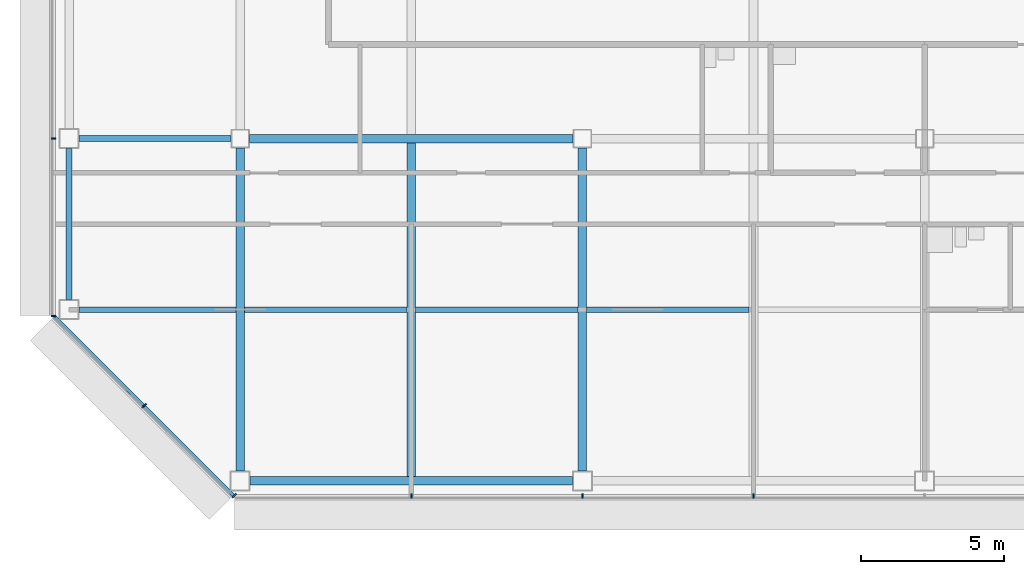
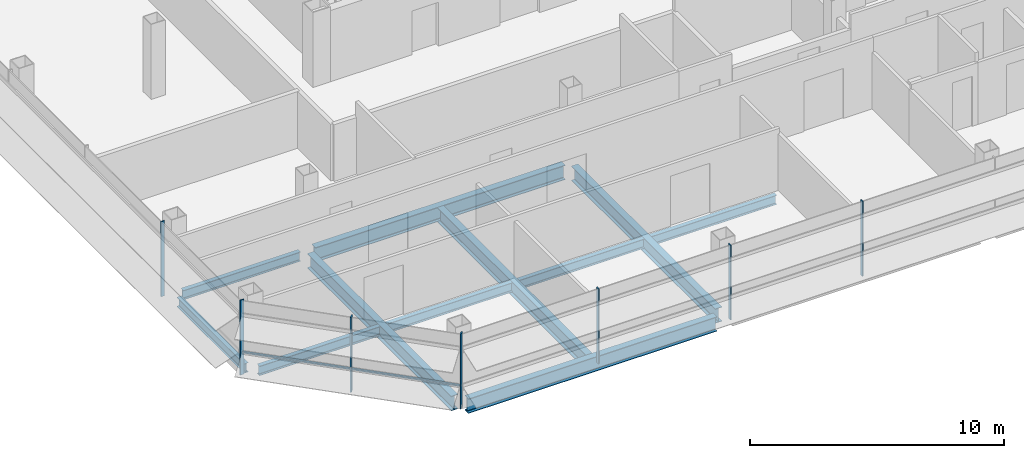
# One storey, part 2 of 24: 11 beams, 8 members, 3 elements without a shape of their own.
"""IFC4 building model written with IfcOpenShell, lengths in metres."""

from ifc_helpers import new_model, si_unit, direction, frame, origin, origin_2d, place, context, subcontext, project, spatial, rectangle, i_section, extrude, material, material_profile, profile_set, type_object, element, aggregate, save


model = new_model("IFC4")

# Units and contexts
model_context = context("Model", 3, precision=1e-05, world=origin(), true_north=direction((0.0, 1.0)))
body_context = subcontext(model_context, "Body", "Model", "MODEL_VIEW")
ifc_project = project(units=[si_unit("LENGTHUNIT", "METRE"), si_unit("AREAUNIT", "SQUARE_METRE"), si_unit("VOLUMEUNIT", "CUBIC_METRE"), si_unit("PLANEANGLEUNIT", "RADIAN"), si_unit("MASSUNIT", "GRAM", prefix="KILO")], contexts=[model_context])

# Site, building, storey
site_placement = place(None, origin())
site = spatial("IfcSite", under=ifc_project, at=site_placement, CompositionType="ELEMENT")
building_placement = place(site_placement, origin())
building = spatial("IfcBuilding", under=site, at=building_placement, Name="Sorahane Residences", CompositionType="ELEMENT")
storey_placement = place(building_placement, frame((0.0, 0.0, 178.0)))
storey = spatial("IfcBuildingStorey", under=building, at=storey_placement, Name="L41", CompositionType="ELEMENT", Elevation=178.0)

# Curtain wall, members
ifc_material_1 = material(Name="Dark low-e glass and black anodised aluminium", Category="aluminium")
curtain_wall_type_1 = type_object("IfcCurtainWallType", Name="Curtain wall CW-1 Typical unitised wall", PredefinedType="NOTDEFINED", material=ifc_material_1)
curtain_wall_1_placement = place(storey_placement, origin())
curtain_wall_1 = element("IfcCurtainWall", 1, at=curtain_wall_1_placement, inside=storey, type_object=curtain_wall_type_1, Name="CW-1 curtain wall L41 S1", PredefinedType="NOTDEFINED")
ifc_material_2 = material(Name="Black anodised aluminium", Category="aluminium")
ifc_material_profile_1 = material_profile(ifc_material_2, rectangle(XDim=0.159912109375, YDim=0.050048828125, at=origin_2d()), Name="Curtain wall mullion CW-1 black anodised aluminium 50x160")
ifc_profile_set_1 = profile_set([ifc_material_profile_1], Name="Black anodised aluminium")
member_type_1 = type_object("IfcMemberType", Name="Curtain wall mullion CW-1 black anodised aluminium 50x160", PredefinedType="MULLION", material=ifc_profile_set_1)
member_1_placement = place(storey_placement, frame((6.0, -0.5400390625, -0.179931640625), z_axis=(0.0, 0.0, 1.0), x_axis=(0.0, -1.0, 0.0)))
member_1 = element("IfcMember", 2, at=member_1_placement, type_object=member_type_1, Name="CW-1 mullion L41 S1.2", PredefinedType="MULLION", context=body_context, shape_type="SweptSolid", body=[
    extrude(rectangle(XDim=0.159912109375, YDim=0.050048828125, at=origin_2d()), origin(), (0.0, 0.0, 1.0), 3.599853515625),
])
member_2_placement = place(storey_placement, frame((12.0, -0.5400390625, -0.179931640625), z_axis=(0.0, 0.0, 1.0), x_axis=(0.0, -1.0, 0.0)))
member_2 = element("IfcMember", 3, at=member_2_placement, type_object=member_type_1, Name="CW-1 mullion L41 S1.3", PredefinedType="MULLION", context=body_context, shape_type="SweptSolid", body=[
    extrude(rectangle(XDim=0.159912109375, YDim=0.050048828125, at=origin_2d()), origin(), (0.0, 0.0, 1.0), 3.599853515625),
])
member_3_placement = place(storey_placement, frame((18.0, -0.5400390625, -0.179931640625), z_axis=(0.0, 0.0, 1.0), x_axis=(0.0, -1.0, 0.0)))
member_3 = element("IfcMember", 4, at=member_3_placement, type_object=member_type_1, Name="CW-1 mullion L41 S1.4", PredefinedType="MULLION", context=body_context, shape_type="SweptSolid", body=[
    extrude(rectangle(XDim=0.159912109375, YDim=0.050048828125, at=origin_2d()), origin(), (0.0, 0.0, 1.0), 3.599853515625),
])
aggregate(curtain_wall_1, [member_1, member_2, member_3])

curtain_wall_2_placement = place(storey_placement, origin())
curtain_wall_2 = element("IfcCurtainWall", 5, at=curtain_wall_2_placement, inside=storey, type_object=curtain_wall_type_1, Name="CW-1 curtain wall L41 W1", PredefinedType="NOTDEFINED")
member_4_placement = place(storey_placement, frame((-6.5400390625, 12.0, -0.179931640625), z_axis=(0.0, 0.0, 1.0), x_axis=(-1.0, 0.0, 0.0)))
member_4 = element("IfcMember", 6, at=member_4_placement, type_object=member_type_1, Name="CW-1 mullion L41 W1.6", PredefinedType="MULLION", context=body_context, shape_type="SweptSolid", body=[
    extrude(rectangle(XDim=0.159912109375, YDim=0.050048828125, at=origin_2d()), origin(), (0.0, 0.0, 1.0), 3.599853515625),
])
member_5_placement = place(storey_placement, frame((-6.5400390625, 5.7763671875, -0.179931640625), z_axis=(0.0, 0.0, 1.0), x_axis=(-1.0, 0.0, 0.0)))
member_5 = element("IfcMember", 7, at=member_5_placement, type_object=member_type_1, Name="CW-1 mullion L41 W1.7", PredefinedType="MULLION", context=body_context, shape_type="SweptSolid", body=[
    extrude(rectangle(XDim=0.159912109375, YDim=0.050048828125, at=origin_2d()), origin(), (0.0, 0.0, 1.0), 3.599853515625),
])
aggregate(curtain_wall_2, [member_4, member_5])

ifc_material_3 = material(Name="Dark low-e glass and black anodised aluminium", Category="aluminium")
curtain_wall_type_2 = type_object("IfcCurtainWallType", Name="Curtain wall CW-2 Chamfer unitised wall", PredefinedType="NOTDEFINED", material=ifc_material_3)
curtain_wall_3_placement = place(storey_placement, origin())
curtain_wall_3 = element("IfcCurtainWall", 8, at=curtain_wall_3_placement, inside=storey, type_object=curtain_wall_type_2, Name="CW-2 curtain wall L41 SW1", PredefinedType="NOTDEFINED")
ifc_material_4 = material(Name="Black anodised aluminium", Category="aluminium")
ifc_material_profile_2 = material_profile(ifc_material_4, rectangle(XDim=0.199951171875, YDim=0.050048828125, at=origin_2d()), Name="Curtain wall mullion CW-2 black anodised aluminium 50x200")
ifc_profile_set_2 = profile_set([ifc_material_profile_2], Name="Black anodised aluminium")
member_type_2 = type_object("IfcMemberType", Name="Curtain wall mullion CW-2 black anodised aluminium 50x200", PredefinedType="MULLION", material=ifc_profile_set_2)
member_6_placement = place(storey_placement, frame((-3.36767578125, 2.63232421875, -0.179931640625), z_axis=(0.0, 0.0, 1.0), x_axis=(-0.707106781187, -0.707106781187, 0.0)))
member_6 = element("IfcMember", 9, at=member_6_placement, type_object=member_type_2, Name="CW-2 mullion L41 SW1.2", PredefinedType="MULLION", context=body_context, shape_type="SweptSolid", body=[
    extrude(rectangle(XDim=0.199951171875, YDim=0.050048828125, at=origin_2d()), origin(), (0.0, 0.0, 1.0), 3.599853515625),
])
member_7_placement = place(storey_placement, frame((-0.209716796875, -0.525634765625, -0.179931640625), z_axis=(0.0, 0.0, 1.0), x_axis=(-0.707106781187, -0.707106781187, 0.0)))
member_7 = element("IfcMember", 10, at=member_7_placement, type_object=member_type_2, Name="CW-2 mullion L41 SW1.3", PredefinedType="MULLION", context=body_context, shape_type="SweptSolid", body=[
    extrude(rectangle(XDim=0.199951171875, YDim=0.050048828125, at=origin_2d()), origin(), (0.0, 0.0, 1.0), 3.599853515625),
])
ifc_material_5 = material(Name="Black anodised aluminium", Category="aluminium")
ifc_material_profile_3 = material_profile(ifc_material_5, rectangle(XDim=0.10009765625, YDim=0.06005859375, at=origin_2d()), Name="Curtain wall transom CW-2 black anodised aluminium 60x100")
ifc_profile_set_3 = profile_set([ifc_material_profile_3], Name="Black anodised aluminium")
member_type_3 = type_object("IfcMemberType", Name="Curtain wall transom CW-2 black anodised aluminium 60x100", PredefinedType="USERDEFINED", material=ifc_profile_set_3)
member_8_placement = place(storey_placement, frame((-6.51513671875, 5.765625, 0.89990234375), z_axis=(0.707106781187, -0.707106781187, 0.0), x_axis=(0.707106781187, 0.707106781187, 0.0)))
member_8 = element("IfcMember", 11, at=member_8_placement, type_object=member_type_3, Name="CW-2 transom L41 SW1", ObjectType="TRANSOM", PredefinedType="USERDEFINED", context=body_context, shape_type="SweptSolid", body=[
    extrude(rectangle(XDim=0.10009765625, YDim=0.06005859375, at=origin_2d()), origin(), (0.0, 0.0, 1.0), 8.88232421875),
])
aggregate(curtain_wall_3, [member_6, member_7, member_8])

# Beams
ifc_material_6 = material(Name="Steel Q355B", Category="steel")
ifc_material_profile_4 = material_profile(ifc_material_6, i_section(OverallWidth=0.199951171875, OverallDepth=0.449951171875, WebThickness=0.009033203125, FlangeThickness=0.013916015625, FilletRadius=0.02001953125, at=origin_2d()), Name="HN 450x200x9x14")
ifc_profile_set_4 = profile_set([ifc_material_profile_4], Name="Steel Q355B")
beam_type_1 = type_object("IfcBeamType", Name="Steel floor beam HN 450x200x9x14 Q355B", PredefinedType="BEAM", material=ifc_profile_set_4)
beam_1_placement = place(storey_placement, frame((-5.64990234375, 12.0, -0.405029296875), z_axis=(1.0, 0.0, 0.0), x_axis=(0.0, 1.0, 0.0)))
element("IfcBeam", 12, at=beam_1_placement, inside=storey, type_object=beam_type_1, Name="Beam L41 005", PredefinedType="BEAM", context=body_context, shape_type="SweptSolid", body=[
    extrude(i_section(OverallWidth=0.199951171875, OverallDepth=0.449951171875, WebThickness=0.009033203125, FlangeThickness=0.013916015625, FilletRadius=0.02001953125, at=origin_2d()), origin(), (0.0, 0.0, 1.0), 5.324951171875),
])
beam_2_placement = place(storey_placement, frame((-6.0, 6.35009765625, -0.405029296875), z_axis=(0.0, 1.0, 0.0), x_axis=(-1.0, 0.0, 0.0)))
element("IfcBeam", 13, at=beam_2_placement, inside=storey, type_object=beam_type_1, Name="Beam L41 020", PredefinedType="BEAM", context=body_context, shape_type="SweptSolid", body=[
    extrude(i_section(OverallWidth=0.199951171875, OverallDepth=0.449951171875, WebThickness=0.009033203125, FlangeThickness=0.013916015625, FilletRadius=0.02001953125, at=origin_2d()), origin(), (0.0, 0.0, 1.0), 5.2998046875),
])
beam_3_placement = place(storey_placement, frame((-5.64990234375, 6.0, -0.405029296875), z_axis=(1.0, 0.0, 0.0), x_axis=(0.0, 1.0, 0.0)))
element("IfcBeam", 14, at=beam_3_placement, inside=storey, type_object=beam_type_1, Name="Beam L41 068", PredefinedType="BEAM", context=body_context, shape_type="SweptSolid", body=[
    extrude(i_section(OverallWidth=0.199951171875, OverallDepth=0.449951171875, WebThickness=0.009033203125, FlangeThickness=0.013916015625, FilletRadius=0.02001953125, at=origin_2d()), origin(), (0.0, 0.0, 1.0), 5.5),
])
for number, where, z_axis, x_axis, name in (
    (15, (0.14990234375, 6.0, -0.405029296875), (1.0, 0.0, 0.0), (0.0, 1.0, 0.0), "Beam L41 069"),
    (16, (6.14990234375, 6.0, -0.405029296875), (1.0, 0.0, 0.0), (0.0, 1.0, 0.0), "Beam L41 070"),
    (17, (12.14990234375, 6.0, -0.405029296875), (1.0, 0.0, 0.0), (0.0, 1.0, 0.0), "Beam L41 071"),
):
    element("IfcBeam", number, at=place(storey_placement, frame(where, z_axis=z_axis, x_axis=x_axis)), inside=storey, type_object=beam_type_1, Name=name, PredefinedType="BEAM", context=body_context, shape_type="SweptSolid", body=[
        extrude(i_section(OverallWidth=0.199951171875, OverallDepth=0.449951171875, WebThickness=0.009033203125, FlangeThickness=0.013916015625, FilletRadius=0.02001953125, at=origin_2d()), origin(), (0.0, 0.0, 1.0), 5.7001953125),
    ])
ifc_material_7 = material(Name="Steel Q355B", Category="steel")
ifc_material_profile_5 = material_profile(ifc_material_7, i_section(OverallWidth=0.300048828125, OverallDepth=0.699951171875, WebThickness=0.012939453125, FlangeThickness=0.02392578125, FilletRadius=0.028076171875, at=origin_2d()), Name="HN 700x300x13x24")
ifc_profile_set_5 = profile_set([ifc_material_profile_5], Name="Steel Q355B")
beam_type_2 = type_object("IfcBeamType", Name="Steel floor beam HN 700x300x13x24 Q355B", PredefinedType="BEAM", material=ifc_profile_set_5)
beam_4_placement = place(storey_placement, frame((0.35009765625, 0.0, -0.530029296875), z_axis=(1.0, 0.0, 0.0), x_axis=(0.0, 1.0, 0.0)))
element("IfcBeam", 18, at=beam_4_placement, inside=storey, type_object=beam_type_2, Name="Beam L41 000", PredefinedType="BEAM", context=body_context, shape_type="SweptSolid", body=[
    extrude(i_section(OverallWidth=0.300048828125, OverallDepth=0.699951171875, WebThickness=0.012939453125, FlangeThickness=0.02392578125, FilletRadius=0.028076171875, at=origin_2d()), origin(), (0.0, 0.0, 1.0), 11.2998046875),
])
beam_5_placement = place(storey_placement, frame((0.324951171875, 12.0, -0.530029296875), z_axis=(1.0, 0.0, 0.0), x_axis=(0.0, 1.0, 0.0)))
element("IfcBeam", 19, at=beam_5_placement, inside=storey, type_object=beam_type_2, Name="Beam L41 006", PredefinedType="BEAM", context=body_context, shape_type="SweptSolid", body=[
    extrude(i_section(OverallWidth=0.300048828125, OverallDepth=0.699951171875, WebThickness=0.012939453125, FlangeThickness=0.02392578125, FilletRadius=0.028076171875, at=origin_2d()), origin(), (0.0, 0.0, 1.0), 11.35009765625),
])
beam_6_placement = place(storey_placement, frame((0.0, 0.35009765625, -0.530029296875), z_axis=(0.0, 1.0, 0.0), x_axis=(-1.0, 0.0, 0.0)))
element("IfcBeam", 20, at=beam_6_placement, inside=storey, type_object=beam_type_2, Name="Beam L41 024", PredefinedType="BEAM", context=body_context, shape_type="SweptSolid", body=[
    extrude(i_section(OverallWidth=0.300048828125, OverallDepth=0.699951171875, WebThickness=0.012939453125, FlangeThickness=0.02392578125, FilletRadius=0.028076171875, at=origin_2d()), origin(), (0.0, 0.0, 1.0), 11.324951171875),
])
beam_7_placement = place(storey_placement, frame((6.0, 0.14990234375, -0.530029296875), z_axis=(0.0, 1.0, 0.0), x_axis=(-1.0, 0.0, 0.0)))
element("IfcBeam", 21, at=beam_7_placement, inside=storey, type_object=beam_type_2, Name="Beam L41 028", PredefinedType="BEAM", context=body_context, shape_type="SweptSolid", body=[
    extrude(i_section(OverallWidth=0.300048828125, OverallDepth=0.699951171875, WebThickness=0.012939453125, FlangeThickness=0.02392578125, FilletRadius=0.028076171875, at=origin_2d()), origin(), (0.0, 0.0, 1.0), 11.7001953125),
])
beam_8_placement = place(storey_placement, frame((12.0, 0.35009765625, -0.530029296875), z_axis=(0.0, 1.0, 0.0), x_axis=(-1.0, 0.0, 0.0)))
element("IfcBeam", 22, at=beam_8_placement, inside=storey, type_object=beam_type_2, Name="Beam L41 034", PredefinedType="BEAM", context=body_context, shape_type="SweptSolid", body=[
    extrude(i_section(OverallWidth=0.300048828125, OverallDepth=0.699951171875, WebThickness=0.012939453125, FlangeThickness=0.02392578125, FilletRadius=0.028076171875, at=origin_2d()), origin(), (0.0, 0.0, 1.0), 11.324951171875),
])

save(model, "model.ifc")
